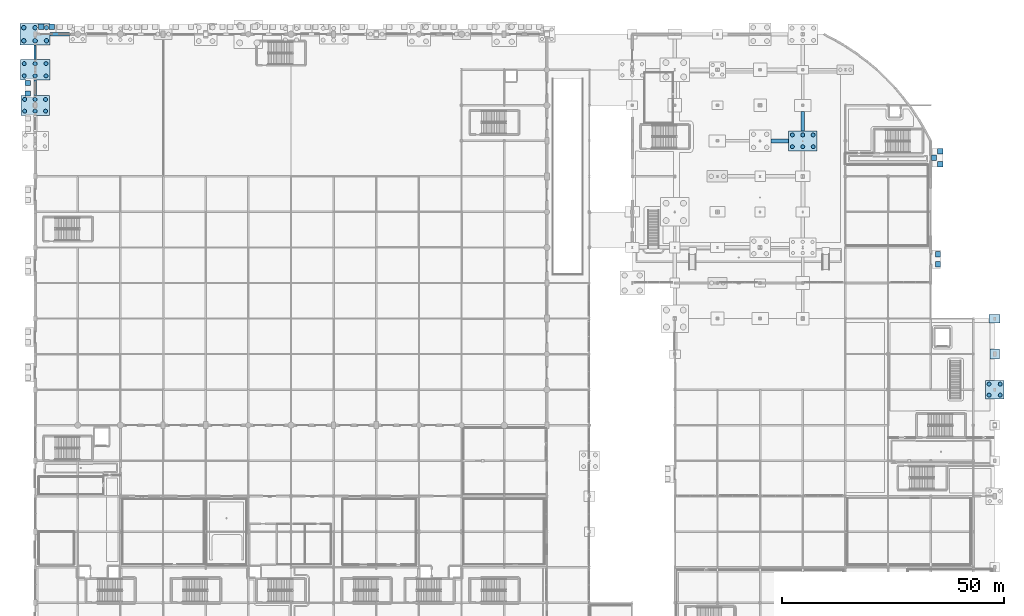
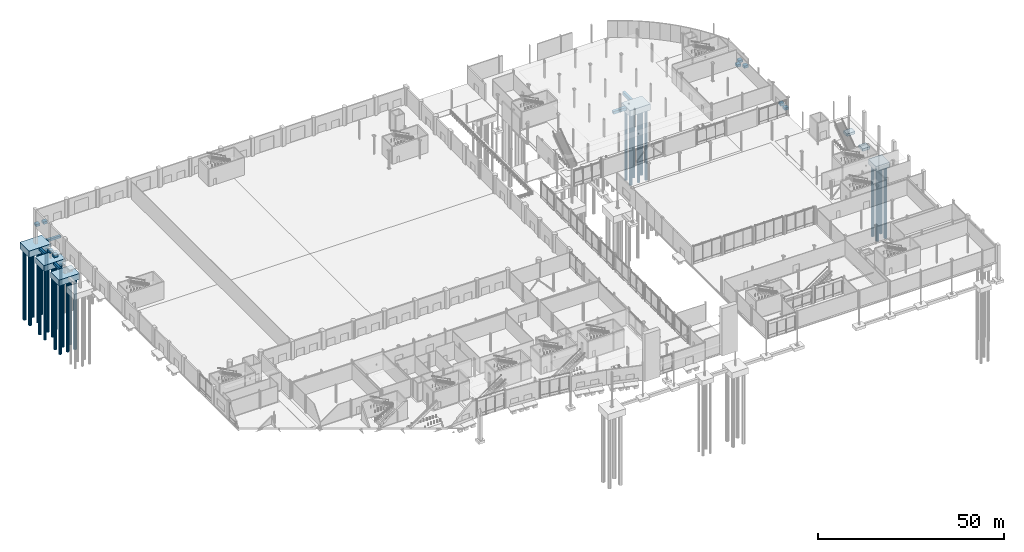
# One storey, part 3 of 124: 28 piles, 21 footings.
"""IFC4 building model written with IfcOpenShell, lengths in metres."""

from ifc_helpers import new_model, si_unit, direction, frame, origin, origin_2d, place, context, subcontext, project, spatial, rectangle, circle, extrude, material, material_profile, profile_set, type_object, element, save


model = new_model("IFC4")

# Units and contexts
model_context = context("Model", 3, precision=1e-05, world=origin(), true_north=direction((0.0, 1.0)))
body_context = subcontext(model_context, "Body", "Model", "MODEL_VIEW")
ifc_project = project(units=[si_unit("LENGTHUNIT", "METRE"), si_unit("AREAUNIT", "SQUARE_METRE"), si_unit("VOLUMEUNIT", "CUBIC_METRE"), si_unit("PLANEANGLEUNIT", "RADIAN"), si_unit("MASSUNIT", "GRAM", prefix="KILO")], contexts=[model_context])

# Site, building, storey
site_placement = place(None, origin())
site = spatial("IfcSite", under=ifc_project, at=site_placement, CompositionType="ELEMENT")
building_placement = place(site_placement, origin())
building = spatial("IfcBuilding", under=site, at=building_placement, Name="Danafjord Basin Convention Centre", CompositionType="ELEMENT")
storey_placement = place(building_placement, origin())
storey = spatial("IfcBuildingStorey", under=building, at=storey_placement, Name="L00", CompositionType="ELEMENT", Elevation=0.0)

# Footings
ifc_material_1 = material(Name="Concrete C40/50", Category="concrete")
footing_type_1 = type_object("IfcFootingType", Name="CAP-PC-08", PredefinedType="PILE_CAP", material=ifc_material_1)
footing_1_placement = place(storey_placement, frame((216.0, 64.0, -7.050048828125), z_axis=(0.0, 0.0, 1.0), x_axis=(1.0, 0.0, 0.0)))
element("IfcFooting", 1, at=footing_1_placement, inside=storey, type_object=footing_type_1, Name="L00 pile cap PC-08 at (216.0, 64.0)", PredefinedType="PILE_CAP", context=body_context, shape_type="SweptSolid", body=[
    extrude(rectangle(XDim=4.199951171875, YDim=4.199951171875, at=origin_2d()), origin(), (0.0, 0.0, 1.0), 1.64990234375),
])
footing_type_2 = type_object("IfcFootingType", Name="CAP-PC-17", PredefinedType="PILE_CAP", material=ifc_material_1)
for number, where, z_axis, x_axis, name in (
    (2, (0.0, 128.0, -7.39990234375), (0.0, 0.0, 1.0), (1.0, 0.0, 0.0), "L00 pile cap PC-17 at (0.0, 128.0)"),
    (3, (172.800048828125, 120.0, -7.39990234375), (0.0, 0.0, 1.0), (1.0, 0.0, 0.0), "L00 pile cap PC-17 at (172.8, 120.0)"),
):
    element("IfcFooting", number, at=place(storey_placement, frame(where, z_axis=z_axis, x_axis=x_axis)), inside=storey, type_object=footing_type_2, Name=name, PredefinedType="PILE_CAP", context=body_context, shape_type="SweptSolid", body=[
        extrude(rectangle(XDim=6.39990234375, YDim=4.5, at=origin_2d()), origin(), (0.0, 0.0, 1.0), 2.0),
    ])
footing_type_3 = type_object("IfcFootingType", Name="CAP-PC-18", PredefinedType="PILE_CAP", material=ifc_material_1)
footing_2_placement = place(storey_placement, frame((0.0, 136.0, -7.4501953125), z_axis=(0.0, 0.0, 1.0), x_axis=(1.0, 0.0, 0.0)))
element("IfcFooting", 4, at=footing_2_placement, inside=storey, type_object=footing_type_3, Name="L00 pile cap PC-18 at (0.0, 136.0)", PredefinedType="PILE_CAP", context=body_context, shape_type="SweptSolid", body=[
    extrude(rectangle(XDim=6.60009765625, YDim=4.699951171875, at=origin_2d()), origin(), (0.0, 0.0, 1.0), 2.050048828125),
])
footing_type_4 = type_object("IfcFootingType", Name="CAP-PC-19", PredefinedType="PILE_CAP", material=ifc_material_1)
footing_3_placement = place(storey_placement, frame((0.0, 144.0, -7.550048828125), z_axis=(0.0, 0.0, 1.0), x_axis=(1.0, 0.0, 0.0)))
element("IfcFooting", 5, at=footing_3_placement, inside=storey, type_object=footing_type_4, Name="L00 pile cap PC-19 at (0.0, 144.0)", PredefinedType="PILE_CAP", context=body_context, shape_type="SweptSolid", body=[
    extrude(rectangle(XDim=6.800048828125, YDim=4.89990234375, at=origin_2d()), origin(), (0.0, 0.0, 1.0), 2.14990234375),
])
ifc_material_profile_1 = material_profile(ifc_material_1, rectangle(XDim=0.800048828125, YDim=1.0, at=origin_2d()), Name="GB 800x1000")
ifc_profile_set_1 = profile_set([ifc_material_profile_1], Name="Concrete C40/50")
footing_type_5 = type_object("IfcFootingType", Name="FBM-FB-01", PredefinedType="FOOTING_BEAM", material=ifc_profile_set_1)
footing_4_placement = place(storey_placement, frame((172.800048828125, 122.25, -5.89990234375), z_axis=(0.0, 1.0, 0.0), x_axis=(-1.0, 0.0, 0.0)))
element("IfcFooting", 6, at=footing_4_placement, inside=storey, type_object=footing_type_5, Name="L00 foundation tie beam FB-01", PredefinedType="FOOTING_BEAM", context=body_context, shape_type="SweptSolid", body=[
    extrude(rectangle(XDim=0.800048828125, YDim=1.0, at=origin_2d()), origin(), (0.0, 0.0, 1.0), 4.39990234375),
])
ifc_material_profile_2 = material_profile(ifc_material_1, rectangle(XDim=0.60009765625, YDim=0.89990234375, at=origin_2d()), Name="GB 600x900")
ifc_profile_set_2 = profile_set([ifc_material_profile_2], Name="Concrete C40/50")
footing_type_6 = type_object("IfcFootingType", Name="FBM-FB-02", PredefinedType="FOOTING_BEAM", material=ifc_profile_set_2)
footing_5_placement = place(storey_placement, frame((0.0, 130.25, -5.85009765625), z_axis=(0.0, 1.0, 0.0), x_axis=(-1.0, 0.0, 0.0)))
element("IfcFooting", 7, at=footing_5_placement, inside=storey, type_object=footing_type_6, Name="L00 foundation tie beam FB-02", PredefinedType="FOOTING_BEAM", context=body_context, shape_type="SweptSolid", body=[
    extrude(rectangle(XDim=0.60009765625, YDim=0.89990234375, at=origin_2d()), origin(), (0.0, 0.0, 1.0), 3.39990234375),
])
ifc_material_profile_3 = material_profile(ifc_material_1, rectangle(XDim=0.5, YDim=0.800048828125, at=origin_2d()), Name="PCB 500x800")
ifc_profile_set_3 = profile_set([ifc_material_profile_3], Name="Concrete C40/50")
footing_type_7 = type_object("IfcFootingType", Name="FBM-FB-03", PredefinedType="FOOTING_BEAM", material=ifc_profile_set_3)
footing_6_placement = place(storey_placement, frame((0.0, 138.35009765625, -5.800048828125), z_axis=(0.0, 1.0, 0.0), x_axis=(-1.0, 0.0, 0.0)))
element("IfcFooting", 8, at=footing_6_placement, inside=storey, type_object=footing_type_7, Name="L00 foundation tie beam FB-03", PredefinedType="FOOTING_BEAM", context=body_context, shape_type="SweptSolid", body=[
    extrude(rectangle(XDim=0.5, YDim=0.800048828125, at=origin_2d()), origin(), (0.0, 0.0, 1.0), 3.199951171875),
])
ifc_material_profile_4 = material_profile(ifc_material_1, rectangle(XDim=0.75, YDim=0.75, at=origin_2d()), Name="RC 750x750")
ifc_profile_set_4 = profile_set([ifc_material_profile_4], Name="Concrete C40/50")
footing_type_8 = type_object("IfcFootingType", Name="FBM-FB-04", PredefinedType="FOOTING_BEAM", material=ifc_profile_set_4)
footing_7_placement = place(storey_placement, frame((3.39990234375, 144.0, -5.77490234375), z_axis=(1.0, 0.0, 0.0), x_axis=(0.0, 1.0, 0.0)))
element("IfcFooting", 9, at=footing_7_placement, inside=storey, type_object=footing_type_8, Name="L00 foundation beam FB-04", PredefinedType="FOOTING_BEAM", context=body_context, shape_type="SweptSolid", body=[
    extrude(rectangle(XDim=0.75, YDim=0.75, at=origin_2d()), origin(), (0.0, 0.0, 1.0), 4.300048828125),
])
ifc_material_profile_5 = material_profile(ifc_material_1, rectangle(XDim=0.89990234375, YDim=0.89990234375, at=origin_2d()), Name="RC 900x900")
ifc_profile_set_5 = profile_set([ifc_material_profile_5], Name="Concrete C40/50")
footing_type_9 = type_object("IfcFootingType", Name="FBM-FB-05", PredefinedType="FOOTING_BEAM", material=ifc_profile_set_5)
footing_8_placement = place(storey_placement, frame((165.60009765625, 120.0, -5.85009765625), z_axis=(1.0, 0.0, 0.0), x_axis=(0.0, 1.0, 0.0)))
element("IfcFooting", 10, at=footing_8_placement, inside=storey, type_object=footing_type_9, Name="L00 foundation beam FB-05", PredefinedType="FOOTING_BEAM", context=body_context, shape_type="SweptSolid", body=[
    extrude(rectangle(XDim=0.89990234375, YDim=0.89990234375, at=origin_2d()), origin(), (0.0, 0.0, 1.0), 4.0),
])
ifc_material_2 = material(Name="Concrete C35/45", Category="concrete")
footing_type_10 = type_object("IfcFootingType", Name="PAD-PF-01", PredefinedType="PAD_FOOTING", material=ifc_material_2)
for number, where, z_axis, x_axis, name in (
    (11, (1.4130859375, 145.64990234375, -1.080078125), (0.0, 0.0, 1.0), (1.0, 0.0, 0.0), "Threshold apron pad footing"),
    (12, (3.76708984375, 145.64990234375, -1.080078125), (0.0, 0.0, 1.0), (1.0, 0.0, 0.0), "Threshold apron pad footing"),
    (13, (-1.64990234375, 130.6630859375, -1.080078125), (0.0, 0.0, 1.0), (1.0, 0.0, 0.0), "Threshold apron pad footing"),
    (14, (-1.64990234375, 133.01708984375, -1.080078125), (0.0, 0.0, 1.0), (1.0, 0.0, 0.0), "Threshold apron pad footing"),
    (15, (203.25, 92.196044921875, -1.080078125), (0.0, 0.0, 1.0), (1.0, 0.0, 0.0), "Threshold apron pad footing"),
    (16, (203.25, 94.471923828125, -1.080078125), (0.0, 0.0, 1.0), (1.0, 0.0, 0.0), "Threshold apron pad footing"),
    (17, (202.35009765625, 116.199951171875, -1.09521484375), (0.0, 0.0, 1.0), (1.0, 0.0, 0.0), "Exit apron pad footing"),
    (18, (203.75, 114.75, -1.09521484375), (0.0, 0.0, 1.0), (1.0, 0.0, 0.0), "Exit apron pad footing"),
    (19, (203.75, 117.64990234375, -1.09521484375), (0.0, 0.0, 1.0), (1.0, 0.0, 0.0), "Exit apron pad footing"),
):
    element("IfcFooting", number, at=place(storey_placement, frame(where, z_axis=z_axis, x_axis=x_axis)), inside=storey, type_object=footing_type_10, Name=name, PredefinedType="PAD_FOOTING", context=body_context, shape_type="SweptSolid", body=[
        extrude(rectangle(XDim=1.199951171875, YDim=1.199951171875, at=origin_2d()), origin(), (0.0, 0.0, 1.0), 0.800048828125),
    ])
footing_type_11 = type_object("IfcFootingType", Name="PAD-PF-02", PredefinedType="PAD_FOOTING", material=ifc_material_2)
footing_9_placement = place(storey_placement, frame((216.0, 72.0, -6.25), z_axis=(0.0, 0.0, 1.0), x_axis=(1.0, 0.0, 0.0)))
element("IfcFooting", 20, at=footing_9_placement, inside=storey, type_object=footing_type_11, Name="L00 pad footing PF-02 at (216.0, 72.0)", PredefinedType="PAD_FOOTING", context=body_context, shape_type="SweptSolid", body=[
    extrude(rectangle(XDim=2.199951171875, YDim=2.199951171875, at=origin_2d()), origin(), (0.0, 0.0, 1.0), 0.85009765625),
])
footing_type_12 = type_object("IfcFootingType", Name="PAD-PF-12", PredefinedType="PAD_FOOTING", material=ifc_material_2)
footing_10_placement = place(storey_placement, frame((216.0, 80.0, -6.2001953125), z_axis=(0.0, 0.0, 1.0), x_axis=(1.0, 0.0, 0.0)))
element("IfcFooting", 21, at=footing_10_placement, inside=storey, type_object=footing_type_12, Name="L00 pad footing PF-12 at (216.0, 80.0)", PredefinedType="PAD_FOOTING", context=body_context, shape_type="SweptSolid", body=[
    extrude(rectangle(XDim=2.5, YDim=1.89990234375, at=origin_2d()), origin(), (0.0, 0.0, 1.0), 0.800048828125),
])

# Piles
ifc_material_profile_6 = material_profile(ifc_material_1, circle(Radius=0.5, at=origin_2d()), Name="PILE D1000")
ifc_profile_set_6 = profile_set([ifc_material_profile_6], Name="Concrete C40/50")
pile_type_1 = type_object("IfcPileType", Name="PILE-PL-1000", PredefinedType="BORED", material=ifc_profile_set_6)
for number, where, z_axis, x_axis, name in (
    (22, (-2.550048828125, 142.52490234375, -7.449951171875), (0.0, 0.0, -1.0), (1.0, 0.0, 0.0), "PC-19 bored pile 1-1"),
    (23, (-2.550048828125, 145.47509765625, -7.449951171875), (0.0, 0.0, -1.0), (1.0, 0.0, 0.0), "PC-19 bored pile 1-2"),
    (24, (0.0, 142.52490234375, -7.449951171875), (0.0, 0.0, -1.0), (1.0, 0.0, 0.0), "PC-19 bored pile 2-1"),
    (25, (0.0, 145.47509765625, -7.449951171875), (0.0, 0.0, -1.0), (1.0, 0.0, 0.0), "PC-19 bored pile 2-2"),
    (26, (2.550048828125, 142.52490234375, -7.449951171875), (0.0, 0.0, -1.0), (1.0, 0.0, 0.0), "PC-19 bored pile 3-1"),
    (27, (2.550048828125, 145.47509765625, -7.449951171875), (0.0, 0.0, -1.0), (1.0, 0.0, 0.0), "PC-19 bored pile 3-2"),
):
    element("IfcPile", number, at=place(storey_placement, frame(where, z_axis=z_axis, x_axis=x_axis)), inside=storey, type_object=pile_type_1, Name=name, PredefinedType="BORED", context=body_context, shape_type="SweptSolid", body=[
        extrude(circle(Radius=0.5, at=origin_2d()), origin(), (0.0, 0.0, 1.0), 23.050048828125),
    ])
ifc_material_profile_7 = material_profile(ifc_material_1, circle(Radius=0.449951171875, at=origin_2d()), Name="PILE D900")
ifc_profile_set_7 = profile_set([ifc_material_profile_7], Name="Concrete C40/50")
pile_type_2 = type_object("IfcPileType", Name="PILE-PL-900", PredefinedType="BORED", material=ifc_profile_set_7)
for number, where, z_axis, x_axis, name in (
    (28, (-2.35009765625, 126.675048828125, -7.300048828125), (0.0, 0.0, -1.0), (1.0, 0.0, 0.0), "PC-17 bored pile 1-1"),
    (29, (-2.35009765625, 129.324951171875, -7.300048828125), (0.0, 0.0, -1.0), (1.0, 0.0, 0.0), "PC-17 bored pile 1-2"),
    (30, (0.0, 126.675048828125, -7.300048828125), (0.0, 0.0, -1.0), (1.0, 0.0, 0.0), "PC-17 bored pile 2-1"),
    (31, (0.0, 129.324951171875, -7.300048828125), (0.0, 0.0, -1.0), (1.0, 0.0, 0.0), "PC-17 bored pile 2-2"),
    (32, (2.35009765625, 126.675048828125, -7.300048828125), (0.0, 0.0, -1.0), (1.0, 0.0, 0.0), "PC-17 bored pile 3-1"),
    (33, (2.35009765625, 129.324951171875, -7.300048828125), (0.0, 0.0, -1.0), (1.0, 0.0, 0.0), "PC-17 bored pile 3-2"),
):
    element("IfcPile", number, at=place(storey_placement, frame(where, z_axis=z_axis, x_axis=x_axis)), inside=storey, type_object=pile_type_2, Name=name, PredefinedType="BORED", context=body_context, shape_type="SweptSolid", body=[
        extrude(circle(Radius=0.449951171875, at=origin_2d()), origin(), (0.0, 0.0, 1.0), 23.199951171875),
    ])
for number, where, z_axis, x_axis, name in (
    (34, (-2.449951171875, 134.625, -7.35009765625), (0.0, 0.0, -1.0), (1.0, 0.0, 0.0), "PC-18 bored pile 1-1"),
    (35, (-2.449951171875, 137.375, -7.35009765625), (0.0, 0.0, -1.0), (1.0, 0.0, 0.0), "PC-18 bored pile 1-2"),
    (36, (0.0, 134.625, -7.35009765625), (0.0, 0.0, -1.0), (1.0, 0.0, 0.0), "PC-18 bored pile 2-1"),
    (37, (0.0, 137.375, -7.35009765625), (0.0, 0.0, -1.0), (1.0, 0.0, 0.0), "PC-18 bored pile 2-2"),
    (38, (2.449951171875, 134.625, -7.35009765625), (0.0, 0.0, -1.0), (1.0, 0.0, 0.0), "PC-18 bored pile 3-1"),
    (39, (2.449951171875, 137.375, -7.35009765625), (0.0, 0.0, -1.0), (1.0, 0.0, 0.0), "PC-18 bored pile 3-2"),
):
    element("IfcPile", number, at=place(storey_placement, frame(where, z_axis=z_axis, x_axis=x_axis)), inside=storey, type_object=pile_type_2, Name=name, PredefinedType="BORED", context=body_context, shape_type="SweptSolid", body=[
        extrude(circle(Radius=0.449951171875, at=origin_2d()), origin(), (0.0, 0.0, 1.0), 23.14990234375),
    ])
for number, where, z_axis, x_axis, name in (
    (40, (170.449951171875, 118.675048828125, -7.300048828125), (0.0, 0.0, -1.0), (1.0, 0.0, 0.0), "PC-17 bored pile 1-1"),
    (41, (170.449951171875, 121.324951171875, -7.300048828125), (0.0, 0.0, -1.0), (1.0, 0.0, 0.0), "PC-17 bored pile 1-2"),
    (42, (172.800048828125, 118.675048828125, -7.300048828125), (0.0, 0.0, -1.0), (1.0, 0.0, 0.0), "PC-17 bored pile 2-1"),
    (43, (172.800048828125, 121.324951171875, -7.300048828125), (0.0, 0.0, -1.0), (1.0, 0.0, 0.0), "PC-17 bored pile 2-2"),
    (44, (175.14990234375, 118.675048828125, -7.300048828125), (0.0, 0.0, -1.0), (1.0, 0.0, 0.0), "PC-17 bored pile 3-1"),
    (45, (175.14990234375, 121.324951171875, -7.300048828125), (0.0, 0.0, -1.0), (1.0, 0.0, 0.0), "PC-17 bored pile 3-2"),
):
    element("IfcPile", number, at=place(storey_placement, frame(where, z_axis=z_axis, x_axis=x_axis)), inside=storey, type_object=pile_type_2, Name=name, PredefinedType="BORED", context=body_context, shape_type="SweptSolid", body=[
        extrude(circle(Radius=0.449951171875, at=origin_2d()), origin(), (0.0, 0.0, 1.0), 23.199951171875),
    ])
for number, where, z_axis, x_axis, name in (
    (46, (214.75, 62.75, -6.949951171875), (0.0, 0.0, -1.0), (1.0, 0.0, 0.0), "PC-08 bored pile 1-1"),
    (47, (214.75, 65.25, -6.949951171875), (0.0, 0.0, -1.0), (1.0, 0.0, 0.0), "PC-08 bored pile 1-2"),
    (48, (217.25, 62.75, -6.949951171875), (0.0, 0.0, -1.0), (1.0, 0.0, 0.0), "PC-08 bored pile 2-1"),
    (49, (217.25, 65.25, -6.949951171875), (0.0, 0.0, -1.0), (1.0, 0.0, 0.0), "PC-08 bored pile 2-2"),
):
    element("IfcPile", number, at=place(storey_placement, frame(where, z_axis=z_axis, x_axis=x_axis)), inside=storey, type_object=pile_type_2, Name=name, PredefinedType="BORED", context=body_context, shape_type="SweptSolid", body=[
        extrude(circle(Radius=0.449951171875, at=origin_2d()), origin(), (0.0, 0.0, 1.0), 23.550048828125),
    ])

save(model, "model.ifc")
